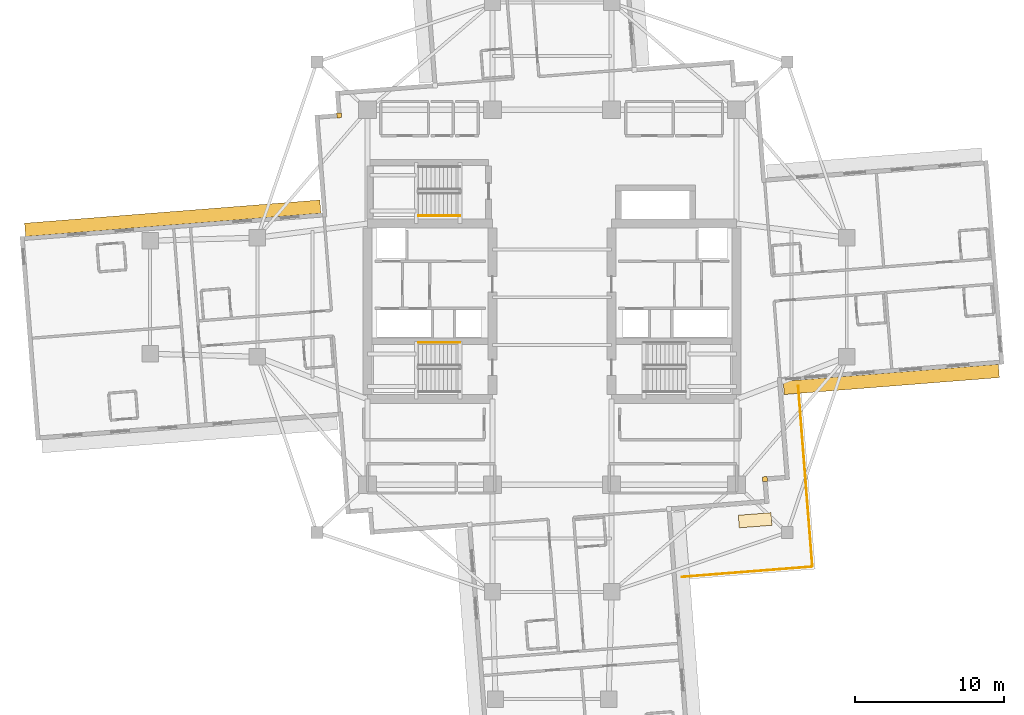
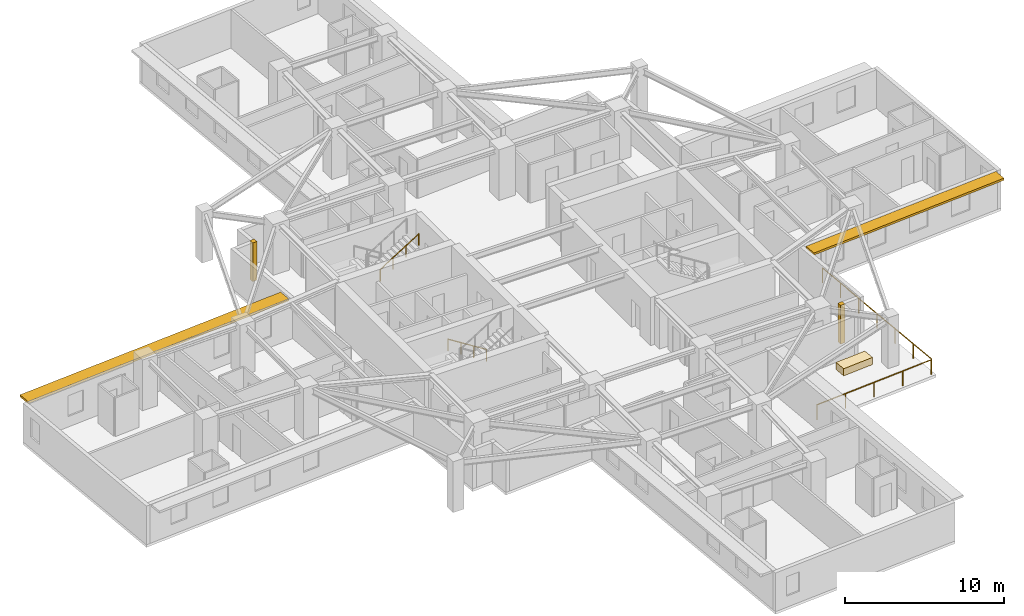
# One storey, part 12 of 14: 4 railings, 3 coverings, 2 shading devices.
"""IFC4 building model written with IfcOpenShell, lengths in metres."""

from ifc_helpers import new_model, si_unit, direction, frame, origin, origin_2d, place, context, subcontext, project, spatial, rectangle, circle, extrude, material, layer, layer_set, type_object, element, save


model = new_model("IFC4")

# Units and contexts
model_context = context("Model", 3, precision=1e-05, world=origin(), true_north=direction((0.0, 1.0)))
body_context = subcontext(model_context, "Body", "Model", "MODEL_VIEW")
ifc_project = project(units=[si_unit("LENGTHUNIT", "METRE"), si_unit("AREAUNIT", "SQUARE_METRE"), si_unit("VOLUMEUNIT", "CUBIC_METRE"), si_unit("PLANEANGLEUNIT", "RADIAN"), si_unit("MASSUNIT", "GRAM", prefix="KILO")], contexts=[model_context])

# Site, building, storey
site_placement = place(None, origin())
site = spatial("IfcSite", under=ifc_project, at=site_placement, CompositionType="ELEMENT")
building_placement = place(site_placement, origin())
building = spatial("IfcBuilding", under=site, at=building_placement, Name="Qingluan Cross Belvedere", CompositionType="ELEMENT")
storey_placement = place(building_placement, frame((0.0, 0.0, 124.199951171875)))
storey = spatial("IfcBuildingStorey", under=building, at=storey_placement, Name="L31", CompositionType="ELEMENT", Elevation=124.199951171875)

# Coverings
ifc_material_1 = material(Name="Precast concrete C45", Category="concrete")
ifc_layer_1 = layer(ifc_material_1, 0.1201171875, Name="ConcreteSpandrelCladding_120")
ifc_layer_set_1 = layer_set([ifc_layer_1], Name="Precast concrete C45")
covering_type_1 = type_object("IfcCoveringType", Name="ConcreteSpandrelCladding_120", PredefinedType="CLADDING", material=ifc_layer_set_1)
for number, where, z_axis, x_axis, name in (
    (1, (-14.302490234375, 12.215576171875, 0.0), (0.0, 0.0, 1.0), (0.996917333733, 0.078459095728, 0.0), "Corner closure L31-NW1"),
    (2, (14.302490234375, -12.215576171875, 0.0), (0.0, 0.0, 1.0), (0.996917333733, 0.078459095728, 0.0), "Corner closure L31-SE1"),
):
    element("IfcCovering", number, at=place(storey_placement, frame(where, z_axis=z_axis, x_axis=x_axis)), inside=storey, type_object=covering_type_1, Name=name, PredefinedType="CLADDING", context=body_context, shape_type="SweptSolid", body=[
        extrude(rectangle(XDim=0.320068359375, YDim=0.320068359375, at=origin_2d()), origin(), (0.0, 0.0, 1.0), 2.969970703125),
    ])

# Shading devices
ifc_material_2 = material(Name="Precast concrete C45", Category="concrete")
ifc_layer_2 = layer(ifc_material_2, 0.159912109375, Name="ConcreteSunshadeBand_900")
ifc_layer_set_2 = layer_set([ifc_layer_2], Name="Precast concrete C45")
shading_device_type = type_object("IfcShadingDeviceType", Name="ConcreteSunshadeBand_900", PredefinedType="USERDEFINED", material=ifc_layer_set_2)
shading_device_1_placement = place(storey_placement, frame((22.793212890625, -5.518798828125, 2.7900390625), z_axis=(0.0, 0.0, 1.0), x_axis=(0.996917599256, 0.078455721862, 0.0)))
element("IfcShadingDevice", 3, at=shading_device_1_placement, inside=storey, type_object=shading_device_type, Name="Concrete SUNSHADE L31-EA", ObjectType="SUNSHADE", PredefinedType="USERDEFINED", context=body_context, shape_type="SweptSolid", body=[
    extrude(rectangle(XDim=14.5, YDim=0.89990234375, at=origin_2d()), origin(), (0.0, 0.0, 1.0), 0.159912109375),
])
shading_device_2_placement = place(storey_placement, frame((-25.48486328125, 5.306884765625, 2.7900390625), z_axis=(0.0, 0.0, 1.0), x_axis=(-0.996917430244, -0.078457869429, 0.0)))
element("IfcShadingDevice", 4, at=shading_device_2_placement, inside=storey, type_object=shading_device_type, Name="Concrete SUNSHADE L31-WA", ObjectType="SUNSHADE", PredefinedType="USERDEFINED", context=body_context, shape_type="SweptSolid", body=[
    extrude(rectangle(XDim=19.89990234375, YDim=0.89990234375, at=origin_2d()), origin(), (0.0, 0.0, 1.0), 0.159912109375),
])

# Railings
ifc_material_3 = material(Name="Brushed stainless steel tubular handrail", Category="steel")
railing_type_1 = type_object("IfcRailingType", Name="StairPitchHandrail_900", PredefinedType="HANDRAIL", material=ifc_material_3)
railing_1_placement = place(storey_placement, frame((-6.179931640625, -3.050048828125, 0.17724609375)))
element("IfcRailing", 5, at=railing_1_placement, inside=storey, type_object=railing_type_1, Name="L31 ST1 stair handrail 1", PredefinedType="HANDRAIL", context=body_context, shape_type="SweptSolid", body=[
    extrude(circle(Radius=0.02392578125, at=origin_2d()), frame((0.0, 0.0, 0.8759765625), z_axis=(-0.844908973607, 0.0, 0.534910110503), x_axis=(0.0, -1.0, 0.0)), (0.0, 0.0, 1.0), 3.31396484375),
    extrude(circle(Radius=0.02099609375, at=origin_2d()), origin(), (0.0, 0.0, 1.0), 0.851806640625),
    extrude(circle(Radius=0.02099609375, at=origin_2d()), frame((-0.933349609375, 0.0, 0.5908203125)), (0.0, 0.0, 1.0), 0.851806640625),
    extrude(circle(Radius=0.02099609375, at=origin_2d()), frame((-1.86669921875, 0.0, 1.181884765625)), (0.0, 0.0, 1.0), 0.851806640625),
    extrude(circle(Radius=0.02099609375, at=origin_2d()), frame((-2.800048828125, 0.0, 1.772705078125)), (0.0, 0.0, 1.0), 0.851806640625),
])
railing_2_placement = place(storey_placement, frame((-8.97998046875, 5.469970703125, 2.12744140625)))
element("IfcRailing", 6, at=railing_2_placement, inside=storey, type_object=railing_type_1, Name="L31 ST3 stair handrail 2", PredefinedType="HANDRAIL", context=body_context, shape_type="SweptSolid", body=[
    extrude(circle(Radius=0.02392578125, at=origin_2d()), frame((0.0, 0.0, 0.8759765625), z_axis=(0.844908973607, 0.0, 0.534910110503), x_axis=(0.0, 1.0, 0.0)), (0.0, 0.0, 1.0), 3.31396484375),
    extrude(circle(Radius=0.02099609375, at=origin_2d()), origin(), (0.0, 0.0, 1.0), 0.851806640625),
    extrude(circle(Radius=0.02099609375, at=origin_2d()), frame((0.933349609375, 0.0, 0.5908203125)), (0.0, 0.0, 1.0), 0.851806640625),
    extrude(circle(Radius=0.02099609375, at=origin_2d()), frame((1.86669921875, 0.0, 1.181884765625)), (0.0, 0.0, 1.0), 0.851806640625),
    extrude(circle(Radius=0.02099609375, at=origin_2d()), frame((2.800048828125, 0.0, 1.772705078125)), (0.0, 0.0, 1.0), 0.851806640625),
])
ifc_material_4 = material(Name="Laminated glass and stainless steel balustrade", Category="steel")
railing_type_2 = type_object("IfcRailingType", Name="TerraceGuardBalustrade_1150", PredefinedType="BALUSTRADE", material=ifc_material_4)
railing_3_placement = place(storey_placement, frame((16.538818359375, -5.960693359375, 0.0)))
element("IfcRailing", 7, at=railing_3_placement, inside=storey, type_object=railing_type_2, Name="Terrace guard L31-1", PredefinedType="BALUSTRADE", context=body_context, shape_type="SweptSolid", body=[
    extrude(circle(Radius=0.02392578125, at=origin_2d()), frame((0.0, 0.0, 1.1259765625), z_axis=(0.078438552314, -0.996918950322, 0.0), x_axis=(0.996918950322, 0.078438552314, 0.0)), (0.0, 0.0, 1.0), 12.1201171875),
    extrude(circle(Radius=0.02099609375, at=origin_2d()), origin(), (0.0, 0.0, 1.0), 1.101806640625),
    extrude(circle(Radius=0.02099609375, at=origin_2d()), frame((0.158447265625, -2.013671875, 0.0)), (0.0, 0.0, 1.0), 1.101806640625),
    extrude(circle(Radius=0.02099609375, at=origin_2d()), frame((0.31689453125, -4.027587890625, 0.0)), (0.0, 0.0, 1.0), 1.101806640625),
    extrude(circle(Radius=0.02099609375, at=origin_2d()), frame((0.475341796875, -6.04150390625, 0.0)), (0.0, 0.0, 1.0), 1.101806640625),
    extrude(circle(Radius=0.02099609375, at=origin_2d()), frame((0.6337890625, -8.05517578125, 0.0)), (0.0, 0.0, 1.0), 1.101806640625),
    extrude(circle(Radius=0.02099609375, at=origin_2d()), frame((0.792236328125, -10.06884765625, 0.0)), (0.0, 0.0, 1.0), 1.101806640625),
    extrude(circle(Radius=0.02099609375, at=origin_2d()), frame((0.95068359375, -12.082763671875, 0.0)), (0.0, 0.0, 1.0), 1.101806640625),
])
railing_4_placement = place(storey_placement, frame((17.4345703125, -18.10791015625, 0.0)))
element("IfcRailing", 8, at=railing_4_placement, inside=storey, type_object=railing_type_2, Name="Terrace guard L31-2", PredefinedType="BALUSTRADE", context=body_context, shape_type="SweptSolid", body=[
    extrude(circle(Radius=0.02392578125, at=origin_2d()), frame((0.0, 0.0, 1.1259765625), z_axis=(-0.996918232331, -0.078447677123, 0.0), x_axis=(0.078447677123, -0.996918232331, 0.0)), (0.0, 0.0, 1.0), 8.72021484375),
    extrude(circle(Radius=0.02099609375, at=origin_2d()), origin(), (0.0, 0.0, 1.0), 1.101806640625),
    extrude(circle(Radius=0.02099609375, at=origin_2d()), frame((-2.17333984375, -0.1708984375, 0.0)), (0.0, 0.0, 1.0), 1.101806640625),
    extrude(circle(Radius=0.02099609375, at=origin_2d()), frame((-4.3466796875, -0.342041015625, 0.0)), (0.0, 0.0, 1.0), 1.101806640625),
    extrude(circle(Radius=0.02099609375, at=origin_2d()), frame((-6.52001953125, -0.51318359375, 0.0)), (0.0, 0.0, 1.0), 1.101806640625),
    extrude(circle(Radius=0.02099609375, at=origin_2d()), frame((-8.693359375, -0.68408203125, 0.0)), (0.0, 0.0, 1.0), 1.101806640625),
])

# Covering
ifc_material_5 = material(Name="Precast concrete C40", Category="concrete")
ifc_layer_3 = layer(ifc_material_5, 0.550048828125, Name="TerracePlanterBox")
ifc_layer_set_3 = layer_set([ifc_layer_3], Name="Precast concrete C40")
covering_type_2 = type_object("IfcCoveringType", Name="TerracePlanterBox", PredefinedType="USERDEFINED", material=ifc_layer_set_3)
covering_placement = place(storey_placement, frame((13.64306640625, -14.985107421875, 0.0), z_axis=(0.0, 0.0, 1.0), x_axis=(0.996917333733, 0.078459095728, 0.0)))
element("IfcCovering", 9, at=covering_placement, inside=storey, type_object=covering_type_2, Name="Spiralling winter-garden planter L31", ObjectType="PLANTER", PredefinedType="USERDEFINED", context=body_context, shape_type="SweptSolid", body=[
    extrude(rectangle(XDim=2.199951171875, YDim=0.85009765625, at=origin_2d()), origin(), (0.0, 0.0, 1.0), 0.550048828125),
])

save(model, "model.ifc")
